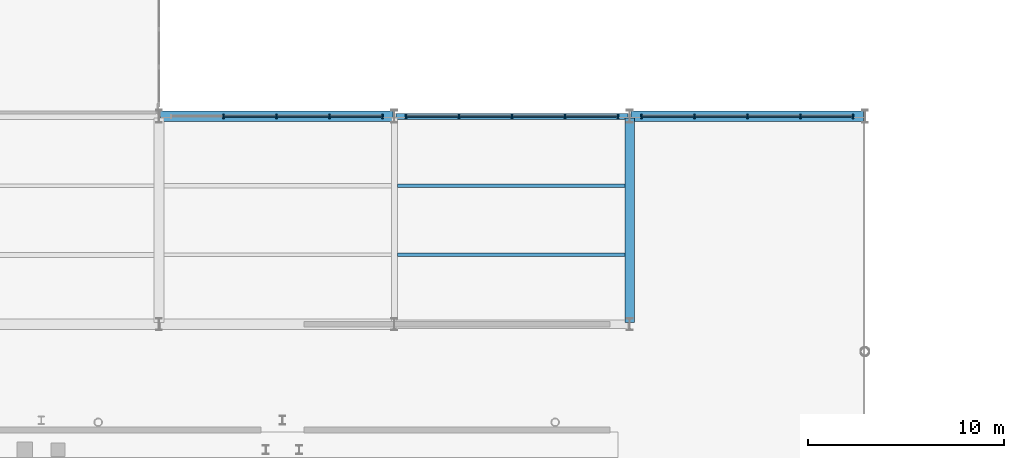
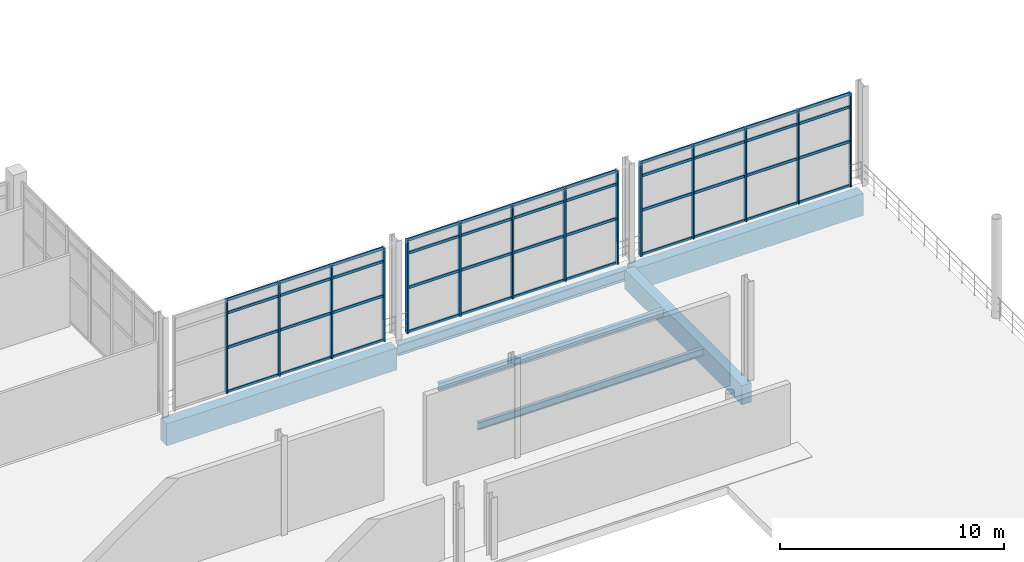
# One storey, part 29 of 85: 58 members, 6 beams, 3 elements without a shape of their own.
"""IFC4 building model written with IfcOpenShell, lengths in metres."""

from ifc_helpers import new_model, si_unit, direction, frame, origin, origin_2d, place, context, subcontext, project, spatial, rectangle, i_section, extrude, material, material_profile, profile_set, type_object, element, aggregate, save


model = new_model("IFC4")

# Units and contexts
model_context = context("Model", 3, precision=1e-05, world=origin(), true_north=direction((0.0, 1.0)))
body_context = subcontext(model_context, "Body", "Model", "MODEL_VIEW")
ifc_project = project(units=[si_unit("LENGTHUNIT", "METRE"), si_unit("AREAUNIT", "SQUARE_METRE"), si_unit("VOLUMEUNIT", "CUBIC_METRE"), si_unit("PLANEANGLEUNIT", "RADIAN"), si_unit("MASSUNIT", "GRAM", prefix="KILO"), si_unit("THERMODYNAMICTEMPERATUREUNIT", "KELVIN"), si_unit("POWERUNIT", "WATT")], contexts=[model_context])

# Site, building, storey
site_placement = place(None, origin())
site = spatial("IfcSite", under=ifc_project, at=site_placement, CompositionType="ELEMENT")
building_placement = place(site_placement, origin())
building = spatial("IfcBuilding", under=site, at=building_placement, Name="Solmara Park Aquatics Centre", CompositionType="ELEMENT")
storey_placement = place(building_placement, origin())
storey = spatial("IfcBuildingStorey", under=building, at=storey_placement, Name="L00", CompositionType="ELEMENT", Elevation=0.0)

# Curtain wall, members
ifc_material_1 = material(Name="Anodised Aluminium Curtain Wall Framing", Category="aluminium")
curtain_wall_type = type_object("IfcCurtainWallType", Name="ARC-CW-SYS02", PredefinedType="USERDEFINED", material=ifc_material_1)
curtain_wall_1_placement = place(storey_placement, origin())
curtain_wall_1 = element("IfcCurtainWall", 1, at=curtain_wall_1_placement, inside=storey, type_object=curtain_wall_type, Name="Curtain Wall CW-021", ObjectType="CURTAIN WALL", PredefinedType="USERDEFINED")
ifc_material_2 = material(Name="Anodised Aluminium Alloy 6063-T6", Category="aluminium")
ifc_material_profile_1 = material_profile(ifc_material_2, rectangle(XDim=0.074951171875, YDim=0.219970703125, at=origin_2d()), Name="ALU MULLION 75x220")
ifc_profile_set_1 = profile_set([ifc_material_profile_1], Name="Anodised Aluminium Alloy 6063-T6")
member_type_1 = type_object("IfcMemberType", Name="ARC-CWM-75x220", PredefinedType="MULLION", material=ifc_profile_set_1)
member_1_placement = place(storey_placement, frame((63.89990234375, 72.60009765625, 0.0), z_axis=(0.0, 0.0, 1.0), x_axis=(1.0, 0.0, 0.0)))
member_1 = element("IfcMember", 2, at=member_1_placement, type_object=member_type_1, Name="CW-021 mullion 2", PredefinedType="MULLION", context=body_context, shape_type="SweptSolid", body=[
    extrude(rectangle(XDim=0.074951171875, YDim=0.219970703125, at=origin_2d()), origin(), (0.0, 0.0, 1.0), 5.080078125),
])
member_2_placement = place(storey_placement, frame((66.60009765625, 72.60009765625, 0.0), z_axis=(0.0, 0.0, 1.0), x_axis=(1.0, 0.0, 0.0)))
member_2 = element("IfcMember", 3, at=member_2_placement, type_object=member_type_1, Name="CW-021 mullion 3", PredefinedType="MULLION", context=body_context, shape_type="SweptSolid", body=[
    extrude(rectangle(XDim=0.074951171875, YDim=0.219970703125, at=origin_2d()), origin(), (0.0, 0.0, 1.0), 5.080078125),
])
member_3_placement = place(storey_placement, frame((69.300048828125, 72.60009765625, 0.0), z_axis=(0.0, 0.0, 1.0), x_axis=(1.0, 0.0, 0.0)))
member_3 = element("IfcMember", 4, at=member_3_placement, type_object=member_type_1, Name="CW-021 mullion 4", PredefinedType="MULLION", context=body_context, shape_type="SweptSolid", body=[
    extrude(rectangle(XDim=0.074951171875, YDim=0.219970703125, at=origin_2d()), origin(), (0.0, 0.0, 1.0), 5.080078125),
])
member_4_placement = place(storey_placement, frame((72.0, 72.60009765625, 0.0), z_axis=(0.0, 0.0, 1.0), x_axis=(1.0, 0.0, 0.0)))
member_4 = element("IfcMember", 5, at=member_4_placement, type_object=member_type_1, Name="CW-021 mullion 5", PredefinedType="MULLION", context=body_context, shape_type="SweptSolid", body=[
    extrude(rectangle(XDim=0.074951171875, YDim=0.219970703125, at=origin_2d()), origin(), (0.0, 0.0, 1.0), 5.080078125),
])

curtain_wall_2_placement = place(storey_placement, origin())
curtain_wall_2 = element("IfcCurtainWall", 6, at=curtain_wall_2_placement, inside=storey, type_object=curtain_wall_type, Name="Curtain Wall CW-023", ObjectType="CURTAIN WALL", PredefinedType="USERDEFINED")
member_5_placement = place(storey_placement, frame((73.199951171875, 72.60009765625, 0.0), z_axis=(0.0, 0.0, 1.0), x_axis=(1.0, 0.0, 0.0)))
member_5 = element("IfcMember", 7, at=member_5_placement, type_object=member_type_1, Name="CW-023 mullion 1", PredefinedType="MULLION", context=body_context, shape_type="SweptSolid", body=[
    extrude(rectangle(XDim=0.074951171875, YDim=0.219970703125, at=origin_2d()), origin(), (0.0, 0.0, 1.0), 5.080078125),
])
member_6_placement = place(storey_placement, frame((75.89990234375, 72.60009765625, 0.0), z_axis=(0.0, 0.0, 1.0), x_axis=(1.0, 0.0, 0.0)))
member_6 = element("IfcMember", 8, at=member_6_placement, type_object=member_type_1, Name="CW-023 mullion 2", PredefinedType="MULLION", context=body_context, shape_type="SweptSolid", body=[
    extrude(rectangle(XDim=0.074951171875, YDim=0.219970703125, at=origin_2d()), origin(), (0.0, 0.0, 1.0), 5.080078125),
])
member_7_placement = place(storey_placement, frame((78.60009765625, 72.60009765625, 0.0), z_axis=(0.0, 0.0, 1.0), x_axis=(1.0, 0.0, 0.0)))
member_7 = element("IfcMember", 9, at=member_7_placement, type_object=member_type_1, Name="CW-023 mullion 3", PredefinedType="MULLION", context=body_context, shape_type="SweptSolid", body=[
    extrude(rectangle(XDim=0.074951171875, YDim=0.219970703125, at=origin_2d()), origin(), (0.0, 0.0, 1.0), 5.080078125),
])
member_8_placement = place(storey_placement, frame((81.300048828125, 72.60009765625, 0.0), z_axis=(0.0, 0.0, 1.0), x_axis=(1.0, 0.0, 0.0)))
member_8 = element("IfcMember", 10, at=member_8_placement, type_object=member_type_1, Name="CW-023 mullion 4", PredefinedType="MULLION", context=body_context, shape_type="SweptSolid", body=[
    extrude(rectangle(XDim=0.074951171875, YDim=0.219970703125, at=origin_2d()), origin(), (0.0, 0.0, 1.0), 5.080078125),
])
member_9_placement = place(storey_placement, frame((84.0, 72.60009765625, 0.0), z_axis=(0.0, 0.0, 1.0), x_axis=(1.0, 0.0, 0.0)))
member_9 = element("IfcMember", 11, at=member_9_placement, type_object=member_type_1, Name="CW-023 mullion 5", PredefinedType="MULLION", context=body_context, shape_type="SweptSolid", body=[
    extrude(rectangle(XDim=0.074951171875, YDim=0.219970703125, at=origin_2d()), origin(), (0.0, 0.0, 1.0), 5.080078125),
])

curtain_wall_3_placement = place(storey_placement, origin())
curtain_wall_3 = element("IfcCurtainWall", 12, at=curtain_wall_3_placement, inside=storey, type_object=curtain_wall_type, Name="Curtain Wall CW-025", ObjectType="CURTAIN WALL", PredefinedType="USERDEFINED")
member_10_placement = place(storey_placement, frame((85.199951171875, 72.60009765625, 0.0), z_axis=(0.0, 0.0, 1.0), x_axis=(1.0, 0.0, 0.0)))
member_10 = element("IfcMember", 13, at=member_10_placement, type_object=member_type_1, Name="CW-025 mullion 1", PredefinedType="MULLION", context=body_context, shape_type="SweptSolid", body=[
    extrude(rectangle(XDim=0.074951171875, YDim=0.219970703125, at=origin_2d()), origin(), (0.0, 0.0, 1.0), 5.080078125),
])
member_11_placement = place(storey_placement, frame((87.89990234375, 72.60009765625, 0.0), z_axis=(0.0, 0.0, 1.0), x_axis=(1.0, 0.0, 0.0)))
member_11 = element("IfcMember", 14, at=member_11_placement, type_object=member_type_1, Name="CW-025 mullion 2", PredefinedType="MULLION", context=body_context, shape_type="SweptSolid", body=[
    extrude(rectangle(XDim=0.074951171875, YDim=0.219970703125, at=origin_2d()), origin(), (0.0, 0.0, 1.0), 5.080078125),
])
member_12_placement = place(storey_placement, frame((90.60009765625, 72.60009765625, 0.0), z_axis=(0.0, 0.0, 1.0), x_axis=(1.0, 0.0, 0.0)))
member_12 = element("IfcMember", 15, at=member_12_placement, type_object=member_type_1, Name="CW-025 mullion 3", PredefinedType="MULLION", context=body_context, shape_type="SweptSolid", body=[
    extrude(rectangle(XDim=0.074951171875, YDim=0.219970703125, at=origin_2d()), origin(), (0.0, 0.0, 1.0), 5.080078125),
])
member_13_placement = place(storey_placement, frame((93.300048828125, 72.60009765625, 0.0), z_axis=(0.0, 0.0, 1.0), x_axis=(1.0, 0.0, 0.0)))
member_13 = element("IfcMember", 16, at=member_13_placement, type_object=member_type_1, Name="CW-025 mullion 4", PredefinedType="MULLION", context=body_context, shape_type="SweptSolid", body=[
    extrude(rectangle(XDim=0.074951171875, YDim=0.219970703125, at=origin_2d()), origin(), (0.0, 0.0, 1.0), 5.080078125),
])
member_14_placement = place(storey_placement, frame((96.0, 72.60009765625, 0.0), z_axis=(0.0, 0.0, 1.0), x_axis=(1.0, 0.0, 0.0)))
member_14 = element("IfcMember", 17, at=member_14_placement, type_object=member_type_1, Name="CW-025 mullion 5", PredefinedType="MULLION", context=body_context, shape_type="SweptSolid", body=[
    extrude(rectangle(XDim=0.074951171875, YDim=0.219970703125, at=origin_2d()), origin(), (0.0, 0.0, 1.0), 5.080078125),
])

# Member
ifc_material_profile_2 = material_profile(ifc_material_2, rectangle(XDim=0.074951171875, YDim=0.14990234375, at=origin_2d()), Name="ALU TRANSOM 75x150")
ifc_profile_set_2 = profile_set([ifc_material_profile_2], Name="Anodised Aluminium Alloy 6063-T6")
member_type_2 = type_object("IfcMemberType", Name="ARC-CWT-75x150", PredefinedType="USERDEFINED", material=ifc_profile_set_2)
member_15_placement = place(storey_placement, frame((63.919921875, 72.60009765625, 0.0400390625), z_axis=(1.0, 0.0, 0.0), x_axis=(0.0, 1.0, 0.0)))
member_15 = element("IfcMember", 18, at=member_15_placement, type_object=member_type_2, Name="CW-021 transom 5", ObjectType="TRANSOM", PredefinedType="USERDEFINED", context=body_context, shape_type="SweptSolid", body=[
    extrude(rectangle(XDim=0.074951171875, YDim=0.14990234375, at=origin_2d()), origin(), (0.0, 0.0, 1.0), 2.6201171875),
])

member_16_placement = place(storey_placement, frame((63.919921875, 72.60009765625, 2.449951171875), z_axis=(1.0, 0.0, 0.0), x_axis=(0.0, 1.0, 0.0)))
member_16 = element("IfcMember", 19, at=member_16_placement, type_object=member_type_2, Name="CW-021 transom 6", ObjectType="TRANSOM", PredefinedType="USERDEFINED", context=body_context, shape_type="SweptSolid", body=[
    extrude(rectangle(XDim=0.074951171875, YDim=0.14990234375, at=origin_2d()), origin(), (0.0, 0.0, 1.0), 2.6201171875),
])

member_17_placement = place(storey_placement, frame((63.919921875, 72.60009765625, 4.330078125), z_axis=(1.0, 0.0, 0.0), x_axis=(0.0, 1.0, 0.0)))
member_17 = element("IfcMember", 20, at=member_17_placement, type_object=member_type_2, Name="CW-021 transom 7", ObjectType="TRANSOM", PredefinedType="USERDEFINED", context=body_context, shape_type="SweptSolid", body=[
    extrude(rectangle(XDim=0.074951171875, YDim=0.14990234375, at=origin_2d()), origin(), (0.0, 0.0, 1.0), 2.6201171875),
])

member_18_placement = place(storey_placement, frame((63.919921875, 72.60009765625, 5.0400390625), z_axis=(1.0, 0.0, 0.0), x_axis=(0.0, 1.0, 0.0)))
member_18 = element("IfcMember", 21, at=member_18_placement, type_object=member_type_2, Name="CW-021 transom 8", ObjectType="TRANSOM", PredefinedType="USERDEFINED", context=body_context, shape_type="SweptSolid", body=[
    extrude(rectangle(XDim=0.074951171875, YDim=0.14990234375, at=origin_2d()), origin(), (0.0, 0.0, 1.0), 2.6201171875),
])

member_19_placement = place(storey_placement, frame((66.6201171875, 72.60009765625, 0.0400390625), z_axis=(1.0, 0.0, 0.0), x_axis=(0.0, 1.0, 0.0)))
member_19 = element("IfcMember", 22, at=member_19_placement, type_object=member_type_2, Name="CW-021 transom 9", ObjectType="TRANSOM", PredefinedType="USERDEFINED", context=body_context, shape_type="SweptSolid", body=[
    extrude(rectangle(XDim=0.074951171875, YDim=0.14990234375, at=origin_2d()), origin(), (0.0, 0.0, 1.0), 2.619873046875),
])

member_20_placement = place(storey_placement, frame((66.6201171875, 72.60009765625, 2.449951171875), z_axis=(1.0, 0.0, 0.0), x_axis=(0.0, 1.0, 0.0)))
member_20 = element("IfcMember", 23, at=member_20_placement, type_object=member_type_2, Name="CW-021 transom 10", ObjectType="TRANSOM", PredefinedType="USERDEFINED", context=body_context, shape_type="SweptSolid", body=[
    extrude(rectangle(XDim=0.074951171875, YDim=0.14990234375, at=origin_2d()), origin(), (0.0, 0.0, 1.0), 2.619873046875),
])

member_21_placement = place(storey_placement, frame((66.6201171875, 72.60009765625, 4.330078125), z_axis=(1.0, 0.0, 0.0), x_axis=(0.0, 1.0, 0.0)))
member_21 = element("IfcMember", 24, at=member_21_placement, type_object=member_type_2, Name="CW-021 transom 11", ObjectType="TRANSOM", PredefinedType="USERDEFINED", context=body_context, shape_type="SweptSolid", body=[
    extrude(rectangle(XDim=0.074951171875, YDim=0.14990234375, at=origin_2d()), origin(), (0.0, 0.0, 1.0), 2.619873046875),
])

member_22_placement = place(storey_placement, frame((66.6201171875, 72.60009765625, 5.0400390625), z_axis=(1.0, 0.0, 0.0), x_axis=(0.0, 1.0, 0.0)))
member_22 = element("IfcMember", 25, at=member_22_placement, type_object=member_type_2, Name="CW-021 transom 12", ObjectType="TRANSOM", PredefinedType="USERDEFINED", context=body_context, shape_type="SweptSolid", body=[
    extrude(rectangle(XDim=0.074951171875, YDim=0.14990234375, at=origin_2d()), origin(), (0.0, 0.0, 1.0), 2.619873046875),
])

member_23_placement = place(storey_placement, frame((69.320068359375, 72.60009765625, 0.0400390625), z_axis=(1.0, 0.0, 0.0), x_axis=(0.0, 1.0, 0.0)))
member_23 = element("IfcMember", 26, at=member_23_placement, type_object=member_type_2, Name="CW-021 transom 13", ObjectType="TRANSOM", PredefinedType="USERDEFINED", context=body_context, shape_type="SweptSolid", body=[
    extrude(rectangle(XDim=0.074951171875, YDim=0.14990234375, at=origin_2d()), origin(), (0.0, 0.0, 1.0), 2.619873046875),
])

member_24_placement = place(storey_placement, frame((69.320068359375, 72.60009765625, 2.449951171875), z_axis=(1.0, 0.0, 0.0), x_axis=(0.0, 1.0, 0.0)))
member_24 = element("IfcMember", 27, at=member_24_placement, type_object=member_type_2, Name="CW-021 transom 14", ObjectType="TRANSOM", PredefinedType="USERDEFINED", context=body_context, shape_type="SweptSolid", body=[
    extrude(rectangle(XDim=0.074951171875, YDim=0.14990234375, at=origin_2d()), origin(), (0.0, 0.0, 1.0), 2.619873046875),
])

member_25_placement = place(storey_placement, frame((69.320068359375, 72.60009765625, 4.330078125), z_axis=(1.0, 0.0, 0.0), x_axis=(0.0, 1.0, 0.0)))
member_25 = element("IfcMember", 28, at=member_25_placement, type_object=member_type_2, Name="CW-021 transom 15", ObjectType="TRANSOM", PredefinedType="USERDEFINED", context=body_context, shape_type="SweptSolid", body=[
    extrude(rectangle(XDim=0.074951171875, YDim=0.14990234375, at=origin_2d()), origin(), (0.0, 0.0, 1.0), 2.619873046875),
])

member_26_placement = place(storey_placement, frame((69.320068359375, 72.60009765625, 5.0400390625), z_axis=(1.0, 0.0, 0.0), x_axis=(0.0, 1.0, 0.0)))
member_26 = element("IfcMember", 29, at=member_26_placement, type_object=member_type_2, Name="CW-021 transom 16", ObjectType="TRANSOM", PredefinedType="USERDEFINED", context=body_context, shape_type="SweptSolid", body=[
    extrude(rectangle(XDim=0.074951171875, YDim=0.14990234375, at=origin_2d()), origin(), (0.0, 0.0, 1.0), 2.619873046875),
])

aggregate(curtain_wall_1, [member_1, member_2, member_3, member_4, member_15, member_16, member_17, member_18, member_19, member_20, member_21, member_22, member_23, member_24, member_25, member_26])

member_27_placement = place(storey_placement, frame((73.219970703125, 72.60009765625, 0.0400390625), z_axis=(1.0, 0.0, 0.0), x_axis=(0.0, 1.0, 0.0)))
member_27 = element("IfcMember", 30, at=member_27_placement, type_object=member_type_2, Name="CW-023 transom 1", ObjectType="TRANSOM", PredefinedType="USERDEFINED", context=body_context, shape_type="SweptSolid", body=[
    extrude(rectangle(XDim=0.074951171875, YDim=0.14990234375, at=origin_2d()), origin(), (0.0, 0.0, 1.0), 2.6201171875),
])

member_28_placement = place(storey_placement, frame((73.219970703125, 72.60009765625, 2.449951171875), z_axis=(1.0, 0.0, 0.0), x_axis=(0.0, 1.0, 0.0)))
member_28 = element("IfcMember", 31, at=member_28_placement, type_object=member_type_2, Name="CW-023 transom 2", ObjectType="TRANSOM", PredefinedType="USERDEFINED", context=body_context, shape_type="SweptSolid", body=[
    extrude(rectangle(XDim=0.074951171875, YDim=0.14990234375, at=origin_2d()), origin(), (0.0, 0.0, 1.0), 2.6201171875),
])

member_29_placement = place(storey_placement, frame((73.219970703125, 72.60009765625, 4.330078125), z_axis=(1.0, 0.0, 0.0), x_axis=(0.0, 1.0, 0.0)))
member_29 = element("IfcMember", 32, at=member_29_placement, type_object=member_type_2, Name="CW-023 transom 3", ObjectType="TRANSOM", PredefinedType="USERDEFINED", context=body_context, shape_type="SweptSolid", body=[
    extrude(rectangle(XDim=0.074951171875, YDim=0.14990234375, at=origin_2d()), origin(), (0.0, 0.0, 1.0), 2.6201171875),
])

member_30_placement = place(storey_placement, frame((73.219970703125, 72.60009765625, 5.0400390625), z_axis=(1.0, 0.0, 0.0), x_axis=(0.0, 1.0, 0.0)))
member_30 = element("IfcMember", 33, at=member_30_placement, type_object=member_type_2, Name="CW-023 transom 4", ObjectType="TRANSOM", PredefinedType="USERDEFINED", context=body_context, shape_type="SweptSolid", body=[
    extrude(rectangle(XDim=0.074951171875, YDim=0.14990234375, at=origin_2d()), origin(), (0.0, 0.0, 1.0), 2.6201171875),
])

member_31_placement = place(storey_placement, frame((75.919921875, 72.60009765625, 0.0400390625), z_axis=(1.0, 0.0, 0.0), x_axis=(0.0, 1.0, 0.0)))
member_31 = element("IfcMember", 34, at=member_31_placement, type_object=member_type_2, Name="CW-023 transom 5", ObjectType="TRANSOM", PredefinedType="USERDEFINED", context=body_context, shape_type="SweptSolid", body=[
    extrude(rectangle(XDim=0.074951171875, YDim=0.14990234375, at=origin_2d()), origin(), (0.0, 0.0, 1.0), 2.6201171875),
])

member_32_placement = place(storey_placement, frame((75.919921875, 72.60009765625, 2.449951171875), z_axis=(1.0, 0.0, 0.0), x_axis=(0.0, 1.0, 0.0)))
member_32 = element("IfcMember", 35, at=member_32_placement, type_object=member_type_2, Name="CW-023 transom 6", ObjectType="TRANSOM", PredefinedType="USERDEFINED", context=body_context, shape_type="SweptSolid", body=[
    extrude(rectangle(XDim=0.074951171875, YDim=0.14990234375, at=origin_2d()), origin(), (0.0, 0.0, 1.0), 2.6201171875),
])

member_33_placement = place(storey_placement, frame((75.919921875, 72.60009765625, 4.330078125), z_axis=(1.0, 0.0, 0.0), x_axis=(0.0, 1.0, 0.0)))
member_33 = element("IfcMember", 36, at=member_33_placement, type_object=member_type_2, Name="CW-023 transom 7", ObjectType="TRANSOM", PredefinedType="USERDEFINED", context=body_context, shape_type="SweptSolid", body=[
    extrude(rectangle(XDim=0.074951171875, YDim=0.14990234375, at=origin_2d()), origin(), (0.0, 0.0, 1.0), 2.6201171875),
])

member_34_placement = place(storey_placement, frame((75.919921875, 72.60009765625, 5.0400390625), z_axis=(1.0, 0.0, 0.0), x_axis=(0.0, 1.0, 0.0)))
member_34 = element("IfcMember", 37, at=member_34_placement, type_object=member_type_2, Name="CW-023 transom 8", ObjectType="TRANSOM", PredefinedType="USERDEFINED", context=body_context, shape_type="SweptSolid", body=[
    extrude(rectangle(XDim=0.074951171875, YDim=0.14990234375, at=origin_2d()), origin(), (0.0, 0.0, 1.0), 2.6201171875),
])

member_35_placement = place(storey_placement, frame((78.6201171875, 72.60009765625, 0.0400390625), z_axis=(1.0, 0.0, 0.0), x_axis=(0.0, 1.0, 0.0)))
member_35 = element("IfcMember", 38, at=member_35_placement, type_object=member_type_2, Name="CW-023 transom 9", ObjectType="TRANSOM", PredefinedType="USERDEFINED", context=body_context, shape_type="SweptSolid", body=[
    extrude(rectangle(XDim=0.074951171875, YDim=0.14990234375, at=origin_2d()), origin(), (0.0, 0.0, 1.0), 2.619873046875),
])

member_36_placement = place(storey_placement, frame((78.6201171875, 72.60009765625, 2.449951171875), z_axis=(1.0, 0.0, 0.0), x_axis=(0.0, 1.0, 0.0)))
member_36 = element("IfcMember", 39, at=member_36_placement, type_object=member_type_2, Name="CW-023 transom 10", ObjectType="TRANSOM", PredefinedType="USERDEFINED", context=body_context, shape_type="SweptSolid", body=[
    extrude(rectangle(XDim=0.074951171875, YDim=0.14990234375, at=origin_2d()), origin(), (0.0, 0.0, 1.0), 2.619873046875),
])

member_37_placement = place(storey_placement, frame((78.6201171875, 72.60009765625, 4.330078125), z_axis=(1.0, 0.0, 0.0), x_axis=(0.0, 1.0, 0.0)))
member_37 = element("IfcMember", 40, at=member_37_placement, type_object=member_type_2, Name="CW-023 transom 11", ObjectType="TRANSOM", PredefinedType="USERDEFINED", context=body_context, shape_type="SweptSolid", body=[
    extrude(rectangle(XDim=0.074951171875, YDim=0.14990234375, at=origin_2d()), origin(), (0.0, 0.0, 1.0), 2.619873046875),
])

member_38_placement = place(storey_placement, frame((78.6201171875, 72.60009765625, 5.0400390625), z_axis=(1.0, 0.0, 0.0), x_axis=(0.0, 1.0, 0.0)))
member_38 = element("IfcMember", 41, at=member_38_placement, type_object=member_type_2, Name="CW-023 transom 12", ObjectType="TRANSOM", PredefinedType="USERDEFINED", context=body_context, shape_type="SweptSolid", body=[
    extrude(rectangle(XDim=0.074951171875, YDim=0.14990234375, at=origin_2d()), origin(), (0.0, 0.0, 1.0), 2.619873046875),
])

member_39_placement = place(storey_placement, frame((81.320068359375, 72.60009765625, 0.0400390625), z_axis=(1.0, 0.0, 0.0), x_axis=(0.0, 1.0, 0.0)))
member_39 = element("IfcMember", 42, at=member_39_placement, type_object=member_type_2, Name="CW-023 transom 13", ObjectType="TRANSOM", PredefinedType="USERDEFINED", context=body_context, shape_type="SweptSolid", body=[
    extrude(rectangle(XDim=0.074951171875, YDim=0.14990234375, at=origin_2d()), origin(), (0.0, 0.0, 1.0), 2.619873046875),
])

member_40_placement = place(storey_placement, frame((81.320068359375, 72.60009765625, 2.449951171875), z_axis=(1.0, 0.0, 0.0), x_axis=(0.0, 1.0, 0.0)))
member_40 = element("IfcMember", 43, at=member_40_placement, type_object=member_type_2, Name="CW-023 transom 14", ObjectType="TRANSOM", PredefinedType="USERDEFINED", context=body_context, shape_type="SweptSolid", body=[
    extrude(rectangle(XDim=0.074951171875, YDim=0.14990234375, at=origin_2d()), origin(), (0.0, 0.0, 1.0), 2.619873046875),
])

member_41_placement = place(storey_placement, frame((81.320068359375, 72.60009765625, 4.330078125), z_axis=(1.0, 0.0, 0.0), x_axis=(0.0, 1.0, 0.0)))
member_41 = element("IfcMember", 44, at=member_41_placement, type_object=member_type_2, Name="CW-023 transom 15", ObjectType="TRANSOM", PredefinedType="USERDEFINED", context=body_context, shape_type="SweptSolid", body=[
    extrude(rectangle(XDim=0.074951171875, YDim=0.14990234375, at=origin_2d()), origin(), (0.0, 0.0, 1.0), 2.619873046875),
])

member_42_placement = place(storey_placement, frame((81.320068359375, 72.60009765625, 5.0400390625), z_axis=(1.0, 0.0, 0.0), x_axis=(0.0, 1.0, 0.0)))
member_42 = element("IfcMember", 45, at=member_42_placement, type_object=member_type_2, Name="CW-023 transom 16", ObjectType="TRANSOM", PredefinedType="USERDEFINED", context=body_context, shape_type="SweptSolid", body=[
    extrude(rectangle(XDim=0.074951171875, YDim=0.14990234375, at=origin_2d()), origin(), (0.0, 0.0, 1.0), 2.619873046875),
])

aggregate(curtain_wall_2, [member_5, member_6, member_7, member_8, member_9, member_27, member_28, member_29, member_30, member_31, member_32, member_33, member_34, member_35, member_36, member_37, member_38, member_39, member_40, member_41, member_42])

member_43_placement = place(storey_placement, frame((85.219970703125, 72.60009765625, 0.0400390625), z_axis=(1.0, 0.0, 0.0), x_axis=(0.0, 1.0, 0.0)))
member_43 = element("IfcMember", 46, at=member_43_placement, type_object=member_type_2, Name="CW-025 transom 1", ObjectType="TRANSOM", PredefinedType="USERDEFINED", context=body_context, shape_type="SweptSolid", body=[
    extrude(rectangle(XDim=0.074951171875, YDim=0.14990234375, at=origin_2d()), origin(), (0.0, 0.0, 1.0), 2.6201171875),
])

member_44_placement = place(storey_placement, frame((85.219970703125, 72.60009765625, 2.449951171875), z_axis=(1.0, 0.0, 0.0), x_axis=(0.0, 1.0, 0.0)))
member_44 = element("IfcMember", 47, at=member_44_placement, type_object=member_type_2, Name="CW-025 transom 2", ObjectType="TRANSOM", PredefinedType="USERDEFINED", context=body_context, shape_type="SweptSolid", body=[
    extrude(rectangle(XDim=0.074951171875, YDim=0.14990234375, at=origin_2d()), origin(), (0.0, 0.0, 1.0), 2.6201171875),
])

member_45_placement = place(storey_placement, frame((85.219970703125, 72.60009765625, 4.330078125), z_axis=(1.0, 0.0, 0.0), x_axis=(0.0, 1.0, 0.0)))
member_45 = element("IfcMember", 48, at=member_45_placement, type_object=member_type_2, Name="CW-025 transom 3", ObjectType="TRANSOM", PredefinedType="USERDEFINED", context=body_context, shape_type="SweptSolid", body=[
    extrude(rectangle(XDim=0.074951171875, YDim=0.14990234375, at=origin_2d()), origin(), (0.0, 0.0, 1.0), 2.6201171875),
])

member_46_placement = place(storey_placement, frame((85.219970703125, 72.60009765625, 5.0400390625), z_axis=(1.0, 0.0, 0.0), x_axis=(0.0, 1.0, 0.0)))
member_46 = element("IfcMember", 49, at=member_46_placement, type_object=member_type_2, Name="CW-025 transom 4", ObjectType="TRANSOM", PredefinedType="USERDEFINED", context=body_context, shape_type="SweptSolid", body=[
    extrude(rectangle(XDim=0.074951171875, YDim=0.14990234375, at=origin_2d()), origin(), (0.0, 0.0, 1.0), 2.6201171875),
])

member_47_placement = place(storey_placement, frame((87.919921875, 72.60009765625, 0.0400390625), z_axis=(1.0, 0.0, 0.0), x_axis=(0.0, 1.0, 0.0)))
member_47 = element("IfcMember", 50, at=member_47_placement, type_object=member_type_2, Name="CW-025 transom 5", ObjectType="TRANSOM", PredefinedType="USERDEFINED", context=body_context, shape_type="SweptSolid", body=[
    extrude(rectangle(XDim=0.074951171875, YDim=0.14990234375, at=origin_2d()), origin(), (0.0, 0.0, 1.0), 2.6201171875),
])

member_48_placement = place(storey_placement, frame((87.919921875, 72.60009765625, 2.449951171875), z_axis=(1.0, 0.0, 0.0), x_axis=(0.0, 1.0, 0.0)))
member_48 = element("IfcMember", 51, at=member_48_placement, type_object=member_type_2, Name="CW-025 transom 6", ObjectType="TRANSOM", PredefinedType="USERDEFINED", context=body_context, shape_type="SweptSolid", body=[
    extrude(rectangle(XDim=0.074951171875, YDim=0.14990234375, at=origin_2d()), origin(), (0.0, 0.0, 1.0), 2.6201171875),
])

member_49_placement = place(storey_placement, frame((87.919921875, 72.60009765625, 4.330078125), z_axis=(1.0, 0.0, 0.0), x_axis=(0.0, 1.0, 0.0)))
member_49 = element("IfcMember", 52, at=member_49_placement, type_object=member_type_2, Name="CW-025 transom 7", ObjectType="TRANSOM", PredefinedType="USERDEFINED", context=body_context, shape_type="SweptSolid", body=[
    extrude(rectangle(XDim=0.074951171875, YDim=0.14990234375, at=origin_2d()), origin(), (0.0, 0.0, 1.0), 2.6201171875),
])

member_50_placement = place(storey_placement, frame((87.919921875, 72.60009765625, 5.0400390625), z_axis=(1.0, 0.0, 0.0), x_axis=(0.0, 1.0, 0.0)))
member_50 = element("IfcMember", 53, at=member_50_placement, type_object=member_type_2, Name="CW-025 transom 8", ObjectType="TRANSOM", PredefinedType="USERDEFINED", context=body_context, shape_type="SweptSolid", body=[
    extrude(rectangle(XDim=0.074951171875, YDim=0.14990234375, at=origin_2d()), origin(), (0.0, 0.0, 1.0), 2.6201171875),
])

member_51_placement = place(storey_placement, frame((90.6201171875, 72.60009765625, 0.0400390625), z_axis=(1.0, 0.0, 0.0), x_axis=(0.0, 1.0, 0.0)))
member_51 = element("IfcMember", 54, at=member_51_placement, type_object=member_type_2, Name="CW-025 transom 9", ObjectType="TRANSOM", PredefinedType="USERDEFINED", context=body_context, shape_type="SweptSolid", body=[
    extrude(rectangle(XDim=0.074951171875, YDim=0.14990234375, at=origin_2d()), origin(), (0.0, 0.0, 1.0), 2.619873046875),
])

member_52_placement = place(storey_placement, frame((90.6201171875, 72.60009765625, 2.449951171875), z_axis=(1.0, 0.0, 0.0), x_axis=(0.0, 1.0, 0.0)))
member_52 = element("IfcMember", 55, at=member_52_placement, type_object=member_type_2, Name="CW-025 transom 10", ObjectType="TRANSOM", PredefinedType="USERDEFINED", context=body_context, shape_type="SweptSolid", body=[
    extrude(rectangle(XDim=0.074951171875, YDim=0.14990234375, at=origin_2d()), origin(), (0.0, 0.0, 1.0), 2.619873046875),
])

member_53_placement = place(storey_placement, frame((90.6201171875, 72.60009765625, 4.330078125), z_axis=(1.0, 0.0, 0.0), x_axis=(0.0, 1.0, 0.0)))
member_53 = element("IfcMember", 56, at=member_53_placement, type_object=member_type_2, Name="CW-025 transom 11", ObjectType="TRANSOM", PredefinedType="USERDEFINED", context=body_context, shape_type="SweptSolid", body=[
    extrude(rectangle(XDim=0.074951171875, YDim=0.14990234375, at=origin_2d()), origin(), (0.0, 0.0, 1.0), 2.619873046875),
])

member_54_placement = place(storey_placement, frame((90.6201171875, 72.60009765625, 5.0400390625), z_axis=(1.0, 0.0, 0.0), x_axis=(0.0, 1.0, 0.0)))
member_54 = element("IfcMember", 57, at=member_54_placement, type_object=member_type_2, Name="CW-025 transom 12", ObjectType="TRANSOM", PredefinedType="USERDEFINED", context=body_context, shape_type="SweptSolid", body=[
    extrude(rectangle(XDim=0.074951171875, YDim=0.14990234375, at=origin_2d()), origin(), (0.0, 0.0, 1.0), 2.619873046875),
])

member_55_placement = place(storey_placement, frame((93.320068359375, 72.60009765625, 0.0400390625), z_axis=(1.0, 0.0, 0.0), x_axis=(0.0, 1.0, 0.0)))
member_55 = element("IfcMember", 58, at=member_55_placement, type_object=member_type_2, Name="CW-025 transom 13", ObjectType="TRANSOM", PredefinedType="USERDEFINED", context=body_context, shape_type="SweptSolid", body=[
    extrude(rectangle(XDim=0.074951171875, YDim=0.14990234375, at=origin_2d()), origin(), (0.0, 0.0, 1.0), 2.619873046875),
])

member_56_placement = place(storey_placement, frame((93.320068359375, 72.60009765625, 2.449951171875), z_axis=(1.0, 0.0, 0.0), x_axis=(0.0, 1.0, 0.0)))
member_56 = element("IfcMember", 59, at=member_56_placement, type_object=member_type_2, Name="CW-025 transom 14", ObjectType="TRANSOM", PredefinedType="USERDEFINED", context=body_context, shape_type="SweptSolid", body=[
    extrude(rectangle(XDim=0.074951171875, YDim=0.14990234375, at=origin_2d()), origin(), (0.0, 0.0, 1.0), 2.619873046875),
])

member_57_placement = place(storey_placement, frame((93.320068359375, 72.60009765625, 4.330078125), z_axis=(1.0, 0.0, 0.0), x_axis=(0.0, 1.0, 0.0)))
member_57 = element("IfcMember", 60, at=member_57_placement, type_object=member_type_2, Name="CW-025 transom 15", ObjectType="TRANSOM", PredefinedType="USERDEFINED", context=body_context, shape_type="SweptSolid", body=[
    extrude(rectangle(XDim=0.074951171875, YDim=0.14990234375, at=origin_2d()), origin(), (0.0, 0.0, 1.0), 2.619873046875),
])

member_58_placement = place(storey_placement, frame((93.320068359375, 72.60009765625, 5.0400390625), z_axis=(1.0, 0.0, 0.0), x_axis=(0.0, 1.0, 0.0)))
member_58 = element("IfcMember", 61, at=member_58_placement, type_object=member_type_2, Name="CW-025 transom 16", ObjectType="TRANSOM", PredefinedType="USERDEFINED", context=body_context, shape_type="SweptSolid", body=[
    extrude(rectangle(XDim=0.074951171875, YDim=0.14990234375, at=origin_2d()), origin(), (0.0, 0.0, 1.0), 2.619873046875),
])

aggregate(curtain_wall_3, [member_10, member_11, member_12, member_13, member_14, member_43, member_44, member_45, member_46, member_47, member_48, member_49, member_50, member_51, member_52, member_53, member_54, member_55, member_56, member_57, member_58])

# Beams
ifc_material_3 = material(Name="Structural Steel S355", Category="steel")
ifc_material_profile_3 = material_profile(ifc_material_3, i_section(OverallWidth=0.300048828125, OverallDepth=0.590087890625, WebThickness=0.012939453125, FlangeThickness=0.02490234375, FilletRadius=0.027099609375, at=origin_2d()), Name="HEA 600")
ifc_profile_set_3 = profile_set([ifc_material_profile_3], Name="Structural Steel S355")
beam_type_1 = type_object("IfcBeamType", Name="STR-BM-HEA600", PredefinedType="BEAM", material=ifc_profile_set_3)
beam_1_placement = place(storey_placement, frame((72.679931640625, 72.60009765625, -0.715087890625), z_axis=(1.0, 0.0, 0.0), x_axis=(0.0, 1.0, 0.0)))
element("IfcBeam", 62, at=beam_1_placement, inside=storey, type_object=beam_type_1, Name="Girder BM-L00-0018", PredefinedType="BEAM", context=body_context, shape_type="SweptSolid", body=[
    extrude(i_section(OverallWidth=0.300048828125, OverallDepth=0.590087890625, WebThickness=0.012939453125, FlangeThickness=0.02490234375, FilletRadius=0.027099609375, at=origin_2d()), origin(), (0.0, 0.0, 1.0), 11.840087890625),
])
ifc_material_4 = material(Name="Concrete C40/50", Category="concrete")
ifc_material_profile_4 = material_profile(ifc_material_4, rectangle(XDim=0.5, YDim=1.050048828125, at=origin_2d()), Name="RC 500x1050")
ifc_profile_set_4 = profile_set([ifc_material_profile_4], Name="Concrete C40/50")
beam_type_2 = type_object("IfcBeamType", Name="STR-BM-RC500x1050", PredefinedType="BEAM", material=ifc_profile_set_4)
beam_2_placement = place(storey_placement, frame((84.60009765625, 62.080078125, -0.945068359375), z_axis=(0.0, 1.0, 0.0), x_axis=(-1.0, 0.0, 0.0)))
element("IfcBeam", 63, at=beam_2_placement, inside=storey, type_object=beam_type_2, Name="Girder BM-L00-0030", PredefinedType="BEAM", context=body_context, shape_type="SweptSolid", body=[
    extrude(rectangle(XDim=0.5, YDim=1.050048828125, at=origin_2d()), origin(), (0.0, 0.0, 1.0), 10.43994140625),
])
ifc_material_profile_5 = material_profile(ifc_material_4, rectangle(XDim=0.550048828125, YDim=1.199951171875, at=origin_2d()), Name="RC 550x1200")
ifc_profile_set_5 = profile_set([ifc_material_profile_5], Name="Concrete C40/50")
beam_type_3 = type_object("IfcBeamType", Name="STR-BM-RC550x1200", PredefinedType="BEAM", material=ifc_profile_set_5)
for number, where, z_axis, x_axis, name in (
    (64, (60.679931640625, 72.60009765625, -1.02001953125), (1.0, 0.0, 0.0), (0.0, 1.0, 0.0), "Girder BM-L00-0017"),
    (65, (84.679931640625, 72.60009765625, -1.02001953125), (1.0, 0.0, 0.0), (0.0, 1.0, 0.0), "Girder BM-L00-0019"),
):
    element("IfcBeam", number, at=place(storey_placement, frame(where, z_axis=z_axis, x_axis=x_axis)), inside=storey, type_object=beam_type_3, Name=name, PredefinedType="BEAM", context=body_context, shape_type="SweptSolid", body=[
        extrude(rectangle(XDim=0.550048828125, YDim=1.199951171875, at=origin_2d()), origin(), (0.0, 0.0, 1.0), 11.840087890625),
    ])
ifc_material_profile_6 = material_profile(ifc_material_3, i_section(OverallWidth=0.179931640625, OverallDepth=0.39990234375, WebThickness=0.008544921875, FlangeThickness=0.013427734375, FilletRadius=0.02099609375, at=origin_2d()), Name="IPE 400")
ifc_profile_set_6 = profile_set([ifc_material_profile_6], Name="Structural Steel S355")
beam_type_4 = type_object("IfcBeamType", Name="STR-JST-IPE400", PredefinedType="JOIST", material=ifc_profile_set_6)
for number, where, z_axis, x_axis, name in (
    (66, (72.75, 65.533203125, -0.6201171875), (1.0, 0.0, 0.0), (0.0, 1.0, 0.0), "Floor Joist JST-L00-0017"),
    (67, (72.75, 69.066650390625, -0.6201171875), (1.0, 0.0, 0.0), (0.0, 1.0, 0.0), "Floor Joist JST-L00-0018"),
):
    element("IfcBeam", number, at=place(storey_placement, frame(where, z_axis=z_axis, x_axis=x_axis)), inside=storey, type_object=beam_type_4, Name=name, PredefinedType="JOIST", context=body_context, shape_type="SweptSolid", body=[
        extrude(i_section(OverallWidth=0.179931640625, OverallDepth=0.39990234375, WebThickness=0.008544921875, FlangeThickness=0.013427734375, FilletRadius=0.02099609375, at=origin_2d()), origin(), (0.0, 0.0, 1.0), 11.60009765625),
    ])

save(model, "model.ifc")
